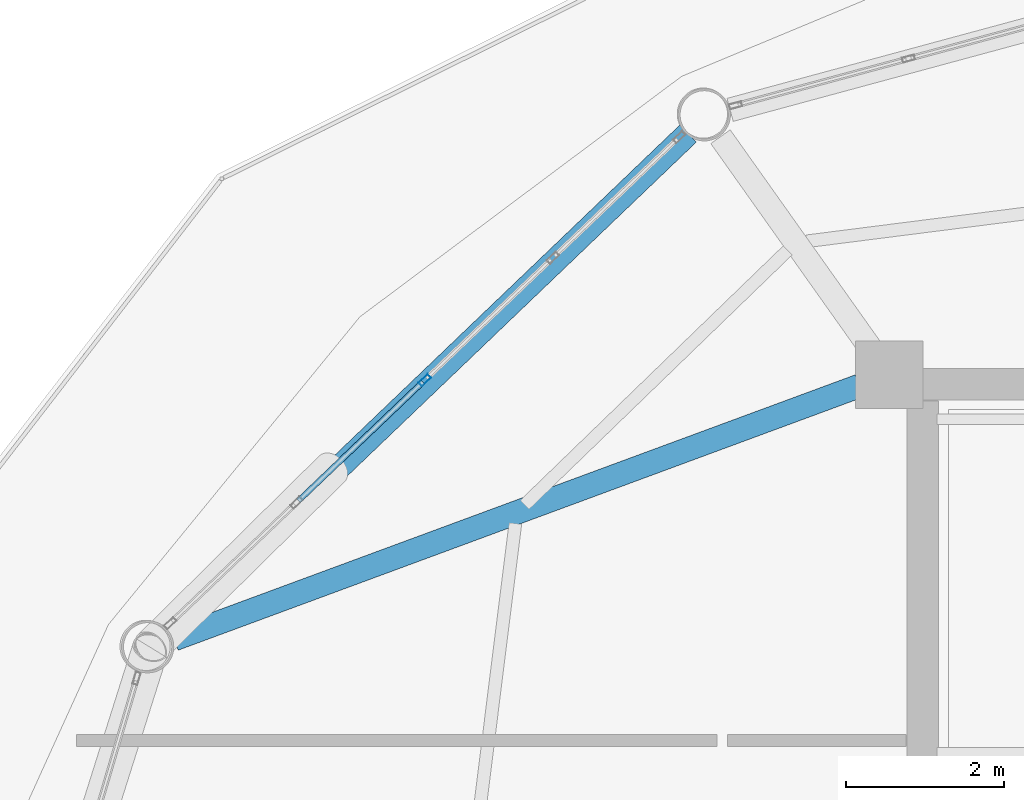
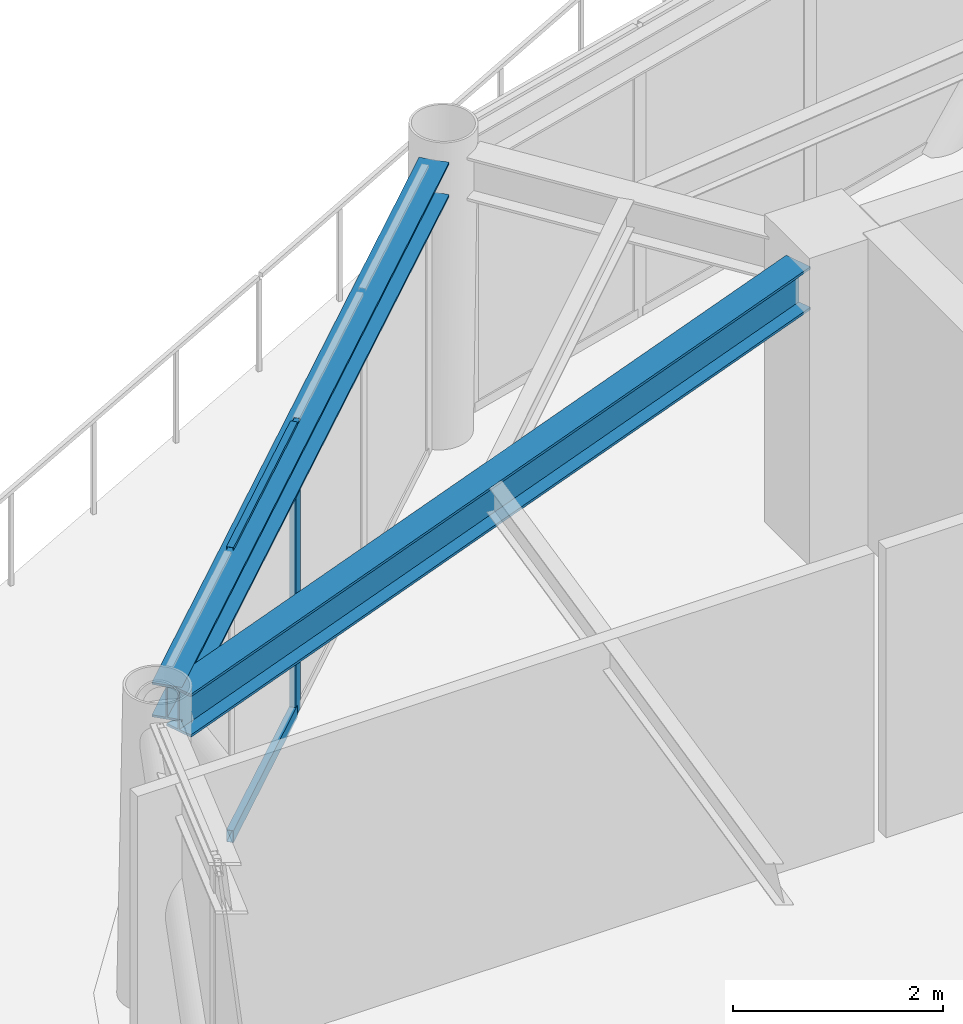
# One storey, part 14 of 28: 3 members, 2 beams, 1 element without a shape of its own.
"""IFC4 building model written with IfcOpenShell, lengths in metres."""

from ifc_helpers import new_model, si_unit, direction, frame, origin, origin_2d, place, context, subcontext, project, spatial, hollow_rectangle, i_section, extrude, material, layer, layer_set, material_profile, profile_set, type_object, element, aggregate, save


model = new_model("IFC4")

# Units and contexts
model_context = context("Model", 3, precision=1e-05, world=origin(), true_north=direction((0.0, 1.0)))
body_context = subcontext(model_context, "Body", "Model", "MODEL_VIEW")
ifc_project = project(units=[si_unit("LENGTHUNIT", "METRE"), si_unit("AREAUNIT", "SQUARE_METRE"), si_unit("VOLUMEUNIT", "CUBIC_METRE"), si_unit("PLANEANGLEUNIT", "RADIAN"), si_unit("MASSUNIT", "GRAM", prefix="KILO")], contexts=[model_context])

# Site, building, storey
site_placement = place(None, origin())
site = spatial("IfcSite", under=ifc_project, at=site_placement, CompositionType="ELEMENT")
building_placement = place(site_placement, origin())
building = spatial("IfcBuilding", under=site, at=building_placement, Name="Varnakorn Sky Granary", CompositionType="ELEMENT")
storey_placement = place(building_placement, frame((0.0, 0.0, 200.39990234375)))
storey = spatial("IfcBuildingStorey", under=building, at=storey_placement, Name="L50", CompositionType="ELEMENT", Elevation=200.39990234375)

# Beams
ifc_material_1 = material(Name="Steel S355JR", Category="steel")
ifc_material_profile_1 = material_profile(ifc_material_1, i_section(OverallWidth=0.300048828125, OverallDepth=0.5, WebThickness=0.014404296875, FlangeThickness=0.028076171875, at=origin_2d()), Name="HE 500 B")
ifc_profile_set_1 = profile_set([ifc_material_profile_1], Name="Steel S355JR")
beam_type_1 = type_object("IfcBeamType", Name="BM-RAD-Z4", PredefinedType="BEAM", material=ifc_profile_set_1)
beam_1_placement = place(storey_placement, frame((-2.7998046875, 12.479736328125, 3.110107421875), z_axis=(-0.93804066775, -0.346525187607, 0.0), x_axis=(0.346525187607, -0.93804066775, 0.0)))
element("IfcBeam", 1, at=beam_1_placement, inside=storey, type_object=beam_type_1, Name="Radial Floor Girder RG06 L50", PredefinedType="BEAM", context=body_context, shape_type="SweptSolid", body=[
    extrude(i_section(OverallWidth=0.300048828125, OverallDepth=0.5, WebThickness=0.014404296875, FlangeThickness=0.028076171875, at=origin_2d()), origin(), (0.0, 0.0, 1.0), 9.23095703125),
])
ifc_material_profile_2 = material_profile(ifc_material_1, i_section(OverallWidth=0.300048828125, OverallDepth=0.39990234375, WebThickness=0.013427734375, FlangeThickness=0.02392578125, at=origin_2d()), Name="HE 400 B")
ifc_profile_set_2 = profile_set([ifc_material_profile_2], Name="Steel S355JR")
beam_type_2 = type_object("IfcBeamType", Name="BM-SPD-Z4", PredefinedType="SPANDREL", material=ifc_profile_set_2)
beam_2_placement = place(storey_placement, frame((-4.964111328125, 15.668701171875, 3.16015625), z_axis=(-0.722551948121, -0.691316629531, 0.0), x_axis=(0.691316629531, -0.722551948121, 0.0)))
element("IfcBeam", 2, at=beam_2_placement, inside=storey, type_object=beam_type_2, Name="Perimeter Spandrel Ring Beam RB05 L50", PredefinedType="SPANDREL", context=body_context, shape_type="SweptSolid", body=[
    extrude(i_section(OverallWidth=0.300048828125, OverallDepth=0.39990234375, WebThickness=0.013427734375, FlangeThickness=0.02392578125, at=origin_2d()), origin(), (0.0, 0.0, 1.0), 9.082275390625),
])

# Curtain wall, members
ifc_material_2 = material(Name="Anodised Bronze Aluminium Alloy 6063-T6", Category="aluminium")
ifc_layer = layer(ifc_material_2, 0.169921875, Name="Anodised Bronze Aluminium Alloy 6063-T6")
ifc_layer_set = layer_set([ifc_layer], Name="Anodised Bronze Aluminium Alloy 6063-T6")
curtain_wall_type = type_object("IfcCurtainWallType", Name="CW-LAB-1", PredefinedType="USERDEFINED", material=ifc_layer_set)
curtain_wall_placement = place(storey_placement, origin())
curtain_wall = element("IfcCurtainWall", 3, at=curtain_wall_placement, inside=storey, type_object=curtain_wall_type, Name="Unitised Curtain Wall CW5 CW-L50-B05", ObjectType="CURTAIN WALL", PredefinedType="USERDEFINED")
ifc_material_profile_3 = material_profile(ifc_material_2, hollow_rectangle(XDim=0.06494140625, YDim=0.159912109375, WallThickness=0.00341796875, at=origin_2d()), Name="ALU MULL 65x160")
ifc_profile_set_3 = profile_set([ifc_material_profile_3], Name="Anodised Bronze Aluminium Alloy 6063-T6")
member_type_1 = type_object("IfcMemberType", Name="CW-LAB-1-MULL", PredefinedType="MULLION", material=ifc_profile_set_3)
member_1_placement = place(storey_placement, frame((-8.291748046875, 12.552490234375, 0.0), z_axis=(0.0, 0.0, 1.0), x_axis=(-0.690696852284, 0.723144424195, 0.0)))
member_1 = element("IfcMember", 4, at=member_1_placement, type_object=member_type_1, Name="CW5 mullion 3", PredefinedType="MULLION", context=body_context, shape_type="SweptSolid", body=[
    extrude(hollow_rectangle(XDim=0.06494140625, YDim=0.159912109375, WallThickness=0.00341796875, at=origin_2d()), origin(), (0.0, 0.0, 1.0), 3.360107421875),
])
ifc_material_profile_4 = material_profile(ifc_material_2, hollow_rectangle(XDim=0.070068359375, YDim=0.139892578125, WallThickness=0.00341796875, at=origin_2d()), Name="ALU TRAN 70x140")
ifc_profile_set_4 = profile_set([ifc_material_profile_4], Name="Anodised Bronze Aluminium Alloy 6063-T6")
member_type_2 = type_object("IfcMemberType", Name="CW-LAB-1-TRAN", PredefinedType="USERDEFINED", material=ifc_profile_set_4)
member_2_placement = place(storey_placement, frame((-9.887939453125, 11.02783203125, 0.03515625), z_axis=(0.723087878394, 0.690756049644, 0.0), x_axis=(-0.690756049644, 0.723087878394, 0.0)))
member_2 = element("IfcMember", 5, at=member_2_placement, type_object=member_type_2, Name="CW5 transom 2.1", ObjectType="TRANSOM", PredefinedType="USERDEFINED", context=body_context, shape_type="SweptSolid", body=[
    extrude(hollow_rectangle(XDim=0.070068359375, YDim=0.139892578125, WallThickness=0.00341796875, at=origin_2d()), origin(), (0.0, 0.0, 1.0), 2.1748046875),
])
member_3_placement = place(storey_placement, frame((-9.887939453125, 11.02783203125, 3.3251953125), z_axis=(0.723087878394, 0.690756049644, 0.0), x_axis=(-0.690756049644, 0.723087878394, 0.0)))
member_3 = element("IfcMember", 6, at=member_3_placement, type_object=member_type_2, Name="CW5 transom 2.2", ObjectType="TRANSOM", PredefinedType="USERDEFINED", context=body_context, shape_type="SweptSolid", body=[
    extrude(hollow_rectangle(XDim=0.070068359375, YDim=0.139892578125, WallThickness=0.00341796875, at=origin_2d()), origin(), (0.0, 0.0, 1.0), 2.1748046875),
])
aggregate(curtain_wall, [member_1, member_2, member_3])

save(model, "model.ifc")
